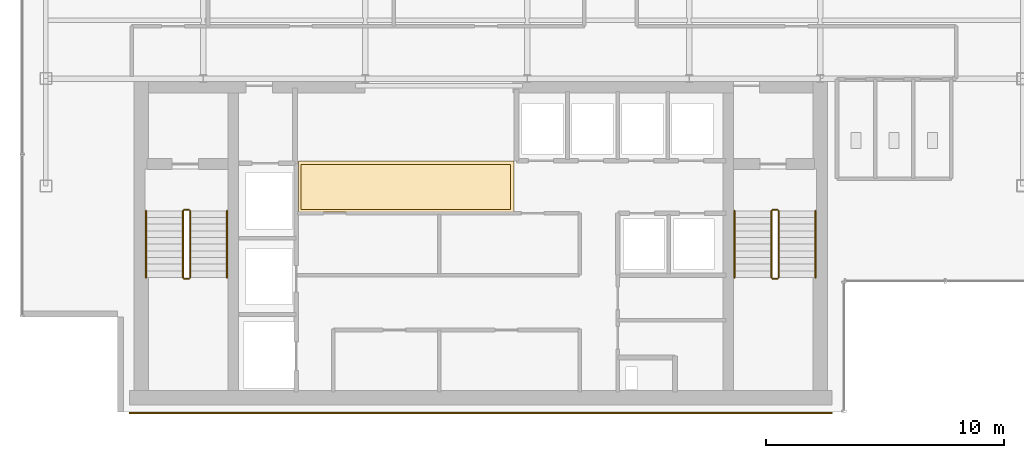
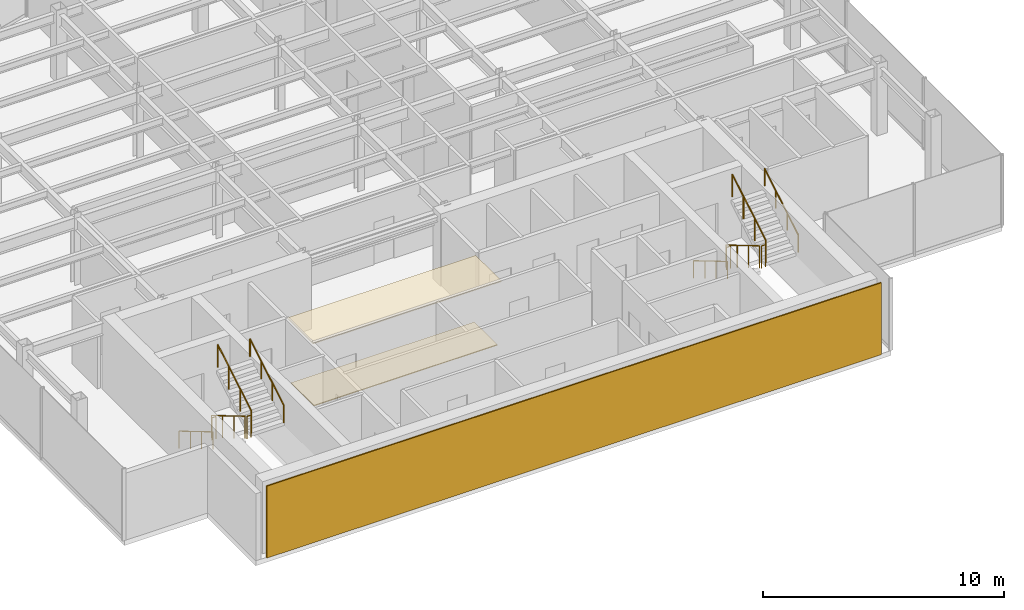
# One storey, part 20 of 22: 12 railings, 3 coverings.
"""IFC4 building model written with IfcOpenShell, lengths in metres."""

from ifc_helpers import new_model, si_unit, derived_unit, direction, frame, origin, origin_2d, place, context, subcontext, project, spatial, polyline, rectangle, circle, outline, extrude, source, transform, mapped, material, layer, layer_set, type_object, element, save


model = new_model("IFC4")

# Units and contexts
model_context = context("Model", 3, precision=1e-05, world=origin(), true_north=direction((0.0, 1.0)))
body_context = subcontext(model_context, "Body", "Model", "MODEL_VIEW")
ifc_project = project(units=[si_unit("LENGTHUNIT", "METRE"), si_unit("AREAUNIT", "SQUARE_METRE"), si_unit("VOLUMEUNIT", "CUBIC_METRE"), si_unit("PLANEANGLEUNIT", "RADIAN"), si_unit("MASSUNIT", "GRAM", prefix="KILO"), derived_unit("THERMALTRANSMITTANCEUNIT", [(si_unit("POWERUNIT", "WATT"), 1), (si_unit("LENGTHUNIT", "METRE"), -2), (si_unit("THERMODYNAMICTEMPERATUREUNIT", "KELVIN"), -1)])], contexts=[model_context])

# Site, building, storey
site_placement = place(None, origin())
site = spatial("IfcSite", under=ifc_project, at=site_placement, CompositionType="ELEMENT")
building_placement = place(site_placement, origin())
building = spatial("IfcBuilding", under=site, at=building_placement, Name="Skarnbrae Concourse Arena and Tower", CompositionType="ELEMENT")
storey_placement = place(building_placement, frame((0.0, 0.0, 217.800048828125)))
storey = spatial("IfcBuildingStorey", under=building, at=storey_placement, Name="L56", CompositionType="ELEMENT", Elevation=217.800048828125)

# Coverings
ifc_material_1 = material(Name="Mineral fibre acoustic ceiling tile", Category="other")
ifc_layer_1 = layer(ifc_material_1, 0.0400390625)
ifc_layer_set_1 = layer_set([ifc_layer_1], Name="Mineral fibre acoustic ceiling tile")
covering_type_1 = type_object("IfcCoveringType", Name="COV-CEIL-ACOUSTIC", PredefinedType="CEILING", material=ifc_layer_set_1)
covering_1_placement = place(storey_placement, frame((0.0, 0.0, 3.239990234375)))
element("IfcCovering", 1, at=covering_1_placement, inside=storey, type_object=covering_type_1, Name="L56 Lift lobby acoustic ceiling", PredefinedType="CEILING", context=body_context, shape_type="SweptSolid", body=[
    extrude(outline(polyline([(11.60009765625, 8.39990234375), (20.64990234375, 8.39990234375), (20.64990234375, 10.550048828125), (11.60009765625, 10.550048828125), (11.60009765625, 8.39990234375)])), origin(), (0.0, 0.0, 1.0), 0.0400390625),
])
ifc_material_2 = material(Name="Polished granite terrazzo flooring", Category="masonry")
ifc_layer_2 = layer(ifc_material_2, 0.0400390625)
ifc_layer_set_2 = layer_set([ifc_layer_2], Name="Polished granite terrazzo flooring")
covering_type_2 = type_object("IfcCoveringType", Name="COV-FLOOR-TERRAZZO", PredefinedType="FLOORING", material=ifc_layer_set_2)
covering_2_placement = place(storey_placement, origin())
element("IfcCovering", 2, at=covering_2_placement, inside=storey, type_object=covering_type_2, Name="L56 Lift lobby terrazzo flooring", PredefinedType="FLOORING", context=body_context, shape_type="SweptSolid", body=[
    extrude(outline(polyline([(11.699951171875, 8.5), (20.5, 8.5), (20.5, 10.39990234375), (11.699951171875, 10.39990234375), (11.699951171875, 8.5)])), origin(), (0.0, 0.0, 1.0), 0.0400390625),
])

# Railings
ifc_material_3 = material(Name="Steel CSA G40.21 350W", Category="steel")
railing_type_1 = type_object("IfcRailingType", Name="RAIL-HANDRAIL-900", PredefinedType="HANDRAIL", material=ifc_material_3)
railing_1_placement = place(storey_placement, frame((5.199951171875, 8.449951171875, 0.165771484375)))
element("IfcRailing", 3, at=railing_1_placement, inside=storey, type_object=railing_type_1, Name="L56 ST-1 stair handrail 1", PredefinedType="HANDRAIL", context=body_context, shape_type="SweptSolid", body=[
    extrude(circle(Radius=0.02392578125, at=origin_2d()), frame((0.0, 0.0, 0.8759765625), z_axis=(0.0, -0.860306154799, 0.50977771628), x_axis=(1.0, 0.0, 0.0)), (0.0, 0.0, 1.0), 3.254638671875),
    extrude(circle(Radius=0.02099609375, at=origin_2d()), origin(), (0.0, 0.0, 1.0), 0.851806640625),
    extrude(circle(Radius=0.02099609375, at=origin_2d()), frame((0.0, -0.933349609375, 0.552978515625)), (0.0, 0.0, 1.0), 0.851806640625),
    extrude(circle(Radius=0.02099609375, at=origin_2d()), frame((0.0, -1.86669921875, 1.106201171875)), (0.0, 0.0, 1.0), 0.851806640625),
    extrude(circle(Radius=0.02099609375, at=origin_2d()), frame((0.0, -2.800048828125, 1.6591796875)), (0.0, 0.0, 1.0), 0.851806640625),
])
railing_2_placement = place(storey_placement, frame((8.60009765625, 5.64990234375, 1.990966796875)))
element("IfcRailing", 4, at=railing_2_placement, inside=storey, type_object=railing_type_1, Name="L56 ST-1 stair handrail 2", PredefinedType="HANDRAIL", context=body_context, shape_type="SweptSolid", body=[
    extrude(circle(Radius=0.02392578125, at=origin_2d()), frame((0.0, 0.0, 0.8759765625), z_axis=(0.0, 0.860339051648, 0.50972219513), x_axis=(-1.0, 0.0, 0.0)), (0.0, 0.0, 1.0), 3.254638671875),
    extrude(circle(Radius=0.02099609375, at=origin_2d()), origin(), (0.0, 0.0, 1.0), 0.851806640625),
    extrude(circle(Radius=0.02099609375, at=origin_2d()), frame((0.0, 0.933349609375, 0.552978515625)), (0.0, 0.0, 1.0), 0.851806640625),
    extrude(circle(Radius=0.02099609375, at=origin_2d()), frame((0.0, 1.86669921875, 1.10595703125)), (0.0, 0.0, 1.0), 0.851806640625),
    extrude(circle(Radius=0.02099609375, at=origin_2d()), frame((0.0, 2.800048828125, 1.658935546875)), (0.0, 0.0, 1.0), 0.851806640625),
])
railing_3_placement = place(storey_placement, frame((29.89990234375, 8.449951171875, 0.165771484375)))
element("IfcRailing", 5, at=railing_3_placement, inside=storey, type_object=railing_type_1, Name="L56 ST-2 stair handrail 1", PredefinedType="HANDRAIL", context=body_context, shape_type="SweptSolid", body=[
    extrude(circle(Radius=0.02392578125, at=origin_2d()), frame((0.0, 0.0, 0.8759765625), z_axis=(0.0, -0.860306154799, 0.50977771628), x_axis=(1.0, 0.0, 0.0)), (0.0, 0.0, 1.0), 3.254638671875),
    extrude(circle(Radius=0.02099609375, at=origin_2d()), origin(), (0.0, 0.0, 1.0), 0.851806640625),
    extrude(circle(Radius=0.02099609375, at=origin_2d()), frame((0.0, -0.933349609375, 0.552978515625)), (0.0, 0.0, 1.0), 0.851806640625),
    extrude(circle(Radius=0.02099609375, at=origin_2d()), frame((0.0, -1.86669921875, 1.106201171875)), (0.0, 0.0, 1.0), 0.851806640625),
    extrude(circle(Radius=0.02099609375, at=origin_2d()), frame((0.0, -2.800048828125, 1.6591796875)), (0.0, 0.0, 1.0), 0.851806640625),
])
railing_4_placement = place(storey_placement, frame((33.300048828125, 5.64990234375, 1.990966796875)))
element("IfcRailing", 6, at=railing_4_placement, inside=storey, type_object=railing_type_1, Name="L56 ST-2 stair handrail 2", PredefinedType="HANDRAIL", context=body_context, shape_type="SweptSolid", body=[
    extrude(circle(Radius=0.02392578125, at=origin_2d()), frame((0.0, 0.0, 0.8759765625), z_axis=(0.0, 0.860339051648, 0.50972219513), x_axis=(-1.0, 0.0, 0.0)), (0.0, 0.0, 1.0), 3.254638671875),
    extrude(circle(Radius=0.02099609375, at=origin_2d()), origin(), (0.0, 0.0, 1.0), 0.851806640625),
    extrude(circle(Radius=0.02099609375, at=origin_2d()), frame((0.0, 0.933349609375, 0.552978515625)), (0.0, 0.0, 1.0), 0.851806640625),
    extrude(circle(Radius=0.02099609375, at=origin_2d()), frame((0.0, 1.86669921875, 1.10595703125)), (0.0, 0.0, 1.0), 0.851806640625),
    extrude(circle(Radius=0.02099609375, at=origin_2d()), frame((0.0, 2.800048828125, 1.658935546875)), (0.0, 0.0, 1.0), 0.851806640625),
])
railing_type_2 = type_object("IfcRailingType", Name="RAIL-STAIR-GUARD-1150", PredefinedType="GUARDRAIL", material=ifc_material_3)
railing_5_placement = place(storey_placement, frame((6.75, 8.449951171875, 0.165771484375)))
element("IfcRailing", 7, at=railing_5_placement, inside=storey, type_object=railing_type_2, Name="L56 ST-1 stair guard 1", PredefinedType="GUARDRAIL", context=body_context, shape_type="SweptSolid", body=[
    extrude(circle(Radius=0.02392578125, at=origin_2d()), frame((0.0, 0.0, 1.1259765625), z_axis=(0.0, -0.860306154799, 0.50977771628), x_axis=(1.0, 0.0, 0.0)), (0.0, 0.0, 1.0), 3.254638671875),
    extrude(circle(Radius=0.02099609375, at=origin_2d()), origin(), (0.0, 0.0, 1.0), 1.101806640625),
    extrude(circle(Radius=0.02099609375, at=origin_2d()), frame((0.0, -0.933349609375, 0.552978515625)), (0.0, 0.0, 1.0), 1.101806640625),
    extrude(circle(Radius=0.02099609375, at=origin_2d()), frame((0.0, -1.86669921875, 1.106201171875)), (0.0, 0.0, 1.0), 1.101806640625),
    extrude(circle(Radius=0.02099609375, at=origin_2d()), frame((0.0, -2.800048828125, 1.6591796875)), (0.0, 0.0, 1.0), 1.101806640625),
])
railing_6_placement = place(storey_placement, frame((6.800048828125, 5.60009765625, 1.824951171875)))
element("IfcRailing", 8, at=railing_6_placement, inside=storey, type_object=railing_type_2, Name="L56 ST-1 stair guard 2", PredefinedType="GUARDRAIL", context=body_context, shape_type="SweptSolid", body=[
    extrude(circle(Radius=0.02392578125, at=origin_2d()), frame((0.0, 0.0, 1.1259765625), z_axis=(1.0, 0.0, 0.0), x_axis=(0.0, 1.0, 0.0)), (0.0, 0.0, 1.0), 0.199951171875),
    extrude(circle(Radius=0.02099609375, at=origin_2d()), origin(), (0.0, 0.0, 1.0), 1.101806640625),
    extrude(circle(Radius=0.02099609375, at=origin_2d()), frame((0.199951171875, 0.0, 0.0)), (0.0, 0.0, 1.0), 1.101806640625),
])
railing_7_placement = place(storey_placement, frame((7.050048828125, 5.64990234375, 1.990966796875)))
element("IfcRailing", 9, at=railing_7_placement, inside=storey, type_object=railing_type_2, Name="L56 ST-1 stair guard 3", PredefinedType="GUARDRAIL", context=body_context, shape_type="SweptSolid", body=[
    extrude(circle(Radius=0.02392578125, at=origin_2d()), frame((0.0, 0.0, 1.1259765625), z_axis=(0.0, 0.860339051648, 0.50972219513), x_axis=(-1.0, 0.0, 0.0)), (0.0, 0.0, 1.0), 3.254638671875),
    extrude(circle(Radius=0.02099609375, at=origin_2d()), origin(), (0.0, 0.0, 1.0), 1.101806640625),
    extrude(circle(Radius=0.02099609375, at=origin_2d()), frame((0.0, 0.933349609375, 0.552978515625)), (0.0, 0.0, 1.0), 1.101806640625),
    extrude(circle(Radius=0.02099609375, at=origin_2d()), frame((0.0, 1.86669921875, 1.10595703125)), (0.0, 0.0, 1.0), 1.101806640625),
    extrude(circle(Radius=0.02099609375, at=origin_2d()), frame((0.0, 2.800048828125, 1.658935546875)), (0.0, 0.0, 1.0), 1.101806640625),
])
railing_8_placement = place(storey_placement, frame((6.800048828125, 8.5, 0.0)))
element("IfcRailing", 10, at=railing_8_placement, inside=storey, type_object=railing_type_2, Name="L56 ST-1 stair guard 4", PredefinedType="GUARDRAIL", context=body_context, shape_type="SweptSolid", body=[
    extrude(circle(Radius=0.02392578125, at=origin_2d()), frame((0.0, 0.0, 1.1259765625), z_axis=(1.0, 0.0, 0.0), x_axis=(0.0, 1.0, 0.0)), (0.0, 0.0, 1.0), 0.199951171875),
    extrude(circle(Radius=0.02099609375, at=origin_2d()), origin(), (0.0, 0.0, 1.0), 1.101806640625),
    extrude(circle(Radius=0.02099609375, at=origin_2d()), frame((0.199951171875, 0.0, 0.0)), (0.0, 0.0, 1.0), 1.101806640625),
])
railing_9_placement = place(storey_placement, frame((31.449951171875, 8.449951171875, 0.165771484375)))
element("IfcRailing", 11, at=railing_9_placement, inside=storey, type_object=railing_type_2, Name="L56 ST-2 stair guard 1", PredefinedType="GUARDRAIL", context=body_context, shape_type="SweptSolid", body=[
    extrude(circle(Radius=0.02392578125, at=origin_2d()), frame((0.0, 0.0, 1.1259765625), z_axis=(0.0, -0.860306154799, 0.50977771628), x_axis=(1.0, 0.0, 0.0)), (0.0, 0.0, 1.0), 3.254638671875),
    extrude(circle(Radius=0.02099609375, at=origin_2d()), origin(), (0.0, 0.0, 1.0), 1.101806640625),
    extrude(circle(Radius=0.02099609375, at=origin_2d()), frame((0.0, -0.933349609375, 0.552978515625)), (0.0, 0.0, 1.0), 1.101806640625),
    extrude(circle(Radius=0.02099609375, at=origin_2d()), frame((0.0, -1.86669921875, 1.106201171875)), (0.0, 0.0, 1.0), 1.101806640625),
    extrude(circle(Radius=0.02099609375, at=origin_2d()), frame((0.0, -2.800048828125, 1.6591796875)), (0.0, 0.0, 1.0), 1.101806640625),
])
railing_10_placement = place(storey_placement, frame((31.5, 5.60009765625, 1.824951171875)))
element("IfcRailing", 12, at=railing_10_placement, inside=storey, type_object=railing_type_2, Name="L56 ST-2 stair guard 2", PredefinedType="GUARDRAIL", context=body_context, shape_type="SweptSolid", body=[
    extrude(circle(Radius=0.02392578125, at=origin_2d()), frame((0.0, 0.0, 1.1259765625), z_axis=(1.0, 0.0, 0.0), x_axis=(0.0, 1.0, 0.0)), (0.0, 0.0, 1.0), 0.199951171875),
    extrude(circle(Radius=0.02099609375, at=origin_2d()), origin(), (0.0, 0.0, 1.0), 1.101806640625),
    extrude(circle(Radius=0.02099609375, at=origin_2d()), frame((0.199951171875, 0.0, 0.0)), (0.0, 0.0, 1.0), 1.101806640625),
])
railing_11_placement = place(storey_placement, frame((31.75, 5.64990234375, 1.990966796875)))
element("IfcRailing", 13, at=railing_11_placement, inside=storey, type_object=railing_type_2, Name="L56 ST-2 stair guard 3", PredefinedType="GUARDRAIL", context=body_context, shape_type="SweptSolid", body=[
    extrude(circle(Radius=0.02392578125, at=origin_2d()), frame((0.0, 0.0, 1.1259765625), z_axis=(0.0, 0.860339051648, 0.50972219513), x_axis=(-1.0, 0.0, 0.0)), (0.0, 0.0, 1.0), 3.254638671875),
    extrude(circle(Radius=0.02099609375, at=origin_2d()), origin(), (0.0, 0.0, 1.0), 1.101806640625),
    extrude(circle(Radius=0.02099609375, at=origin_2d()), frame((0.0, 0.933349609375, 0.552978515625)), (0.0, 0.0, 1.0), 1.101806640625),
    extrude(circle(Radius=0.02099609375, at=origin_2d()), frame((0.0, 1.86669921875, 1.10595703125)), (0.0, 0.0, 1.0), 1.101806640625),
    extrude(circle(Radius=0.02099609375, at=origin_2d()), frame((0.0, 2.800048828125, 1.658935546875)), (0.0, 0.0, 1.0), 1.101806640625),
])
railing_12_placement = place(storey_placement, frame((31.5, 8.5, 0.0)))
element("IfcRailing", 14, at=railing_12_placement, inside=storey, type_object=railing_type_2, Name="L56 ST-2 stair guard 4", PredefinedType="GUARDRAIL", context=body_context, shape_type="SweptSolid", body=[
    extrude(circle(Radius=0.02392578125, at=origin_2d()), frame((0.0, 0.0, 1.1259765625), z_axis=(1.0, 0.0, 0.0), x_axis=(0.0, 1.0, 0.0)), (0.0, 0.0, 1.0), 0.199951171875),
    extrude(circle(Radius=0.02099609375, at=origin_2d()), origin(), (0.0, 0.0, 1.0), 1.101806640625),
    extrude(circle(Radius=0.02099609375, at=origin_2d()), frame((0.199951171875, 0.0, 0.0)), (0.0, 0.0, 1.0), 1.101806640625),
])

# Covering
ifc_material_4 = material(Name="Bronze anodised aluminium 6063-T6", Category="aluminium")
ifc_layer_3 = layer(ifc_material_4, 0.06005859375)
ifc_layer_set_3 = layer_set([ifc_layer_3], Name="Bronze anodised aluminium 6063-T6")
covering_type_3 = type_object("IfcCoveringType", Name="COV-CLAD-BRONZE-60", PredefinedType="CLADDING", material=ifc_layer_set_3)
shared_shape = source(origin(), body_context, "Body", "SweptSolid", [
    extrude(rectangle(XDim=29.5, YDim=0.06005859375, at=origin_2d()), origin(), (0.0, 0.0, 1.0), 3.64990234375),
])
covering_3_placement = place(storey_placement, frame((19.25, -0.030029296875, 0.0), z_axis=(0.0, 0.0, 1.0), x_axis=(1.0, 0.0, 0.0)))
element("IfcCovering", 15, at=covering_3_placement, inside=storey, type_object=covering_type_3, Name="L56 Rear-core plumb spine bronze rainscreen panel", PredefinedType="CLADDING", context=body_context, shape_type="MappedRepresentation", body=[
    mapped(shared_shape, transform((0.0, 0.0, 0.0))),
])

save(model, "model.ifc")
